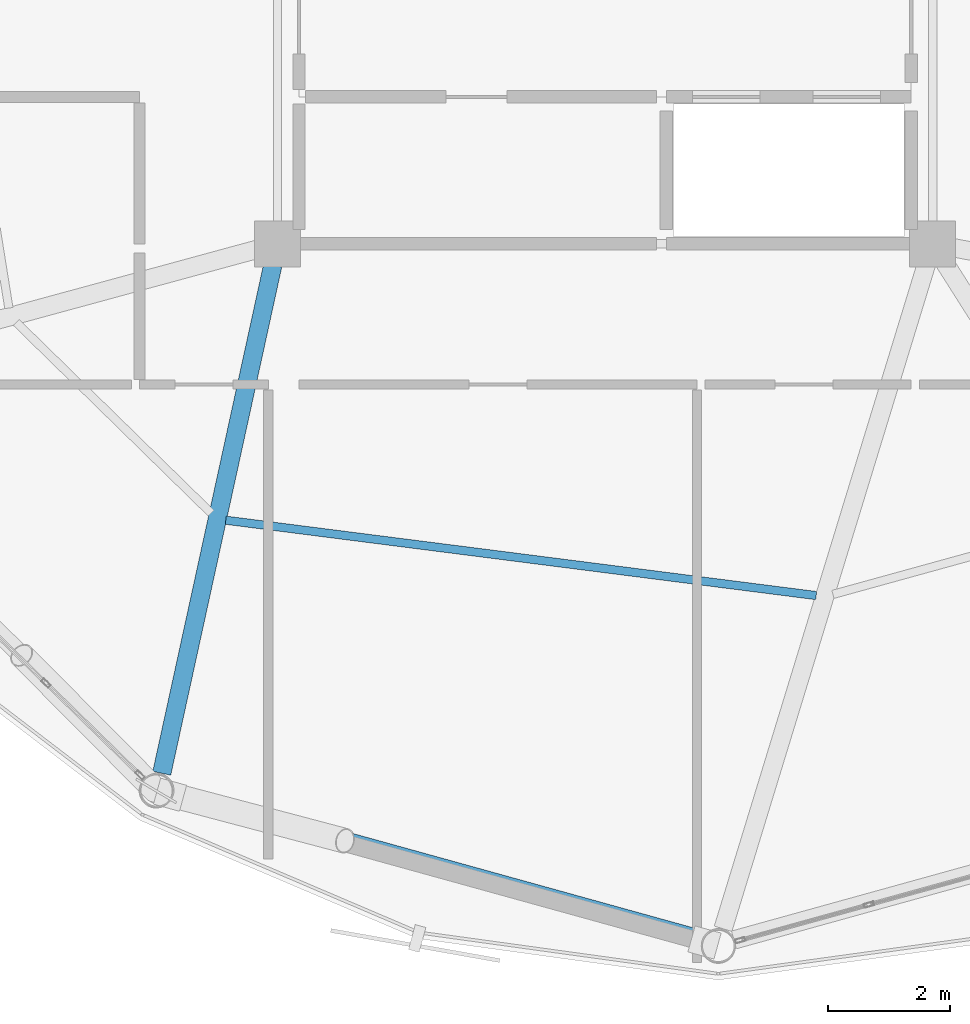
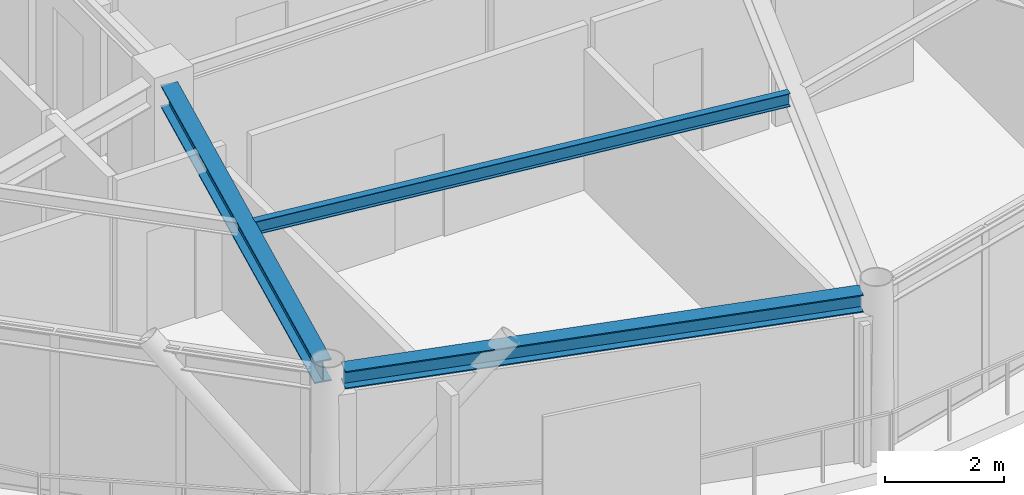
# One storey, part 3 of 27: 3 beams.
"""IFC4 building model written with IfcOpenShell, lengths in metres."""

from ifc_helpers import new_model, si_unit, direction, frame, origin, origin_2d, place, context, subcontext, project, spatial, i_section, extrude, material, material_profile, profile_set, type_object, element, save


model = new_model("IFC4")

# Units and contexts
model_context = context("Model", 3, precision=1e-05, world=origin(), true_north=direction((0.0, 1.0)))
body_context = subcontext(model_context, "Body", "Model", "MODEL_VIEW")
ifc_project = project(units=[si_unit("LENGTHUNIT", "METRE"), si_unit("AREAUNIT", "SQUARE_METRE"), si_unit("VOLUMEUNIT", "CUBIC_METRE"), si_unit("PLANEANGLEUNIT", "RADIAN"), si_unit("MASSUNIT", "GRAM", prefix="KILO")], contexts=[model_context])

# Site, building, storey
site_placement = place(None, origin())
site = spatial("IfcSite", under=ifc_project, at=site_placement, CompositionType="ELEMENT")
building_placement = place(site_placement, origin())
building = spatial("IfcBuilding", under=site, at=building_placement, Name="Varnakorn Sky Granary", CompositionType="ELEMENT")
storey_placement = place(building_placement, frame((0.0, 0.0, 249.0)))
storey = spatial("IfcBuildingStorey", under=building, at=storey_placement, Name="L63", CompositionType="ELEMENT", Elevation=249.0)

# Beams
ifc_material = material(Name="Steel S355JR", Category="steel")
ifc_material_profile_1 = material_profile(ifc_material, i_section(OverallWidth=0.300048828125, OverallDepth=0.449951171875, WebThickness=0.013916015625, FlangeThickness=0.02587890625, at=origin_2d()), Name="HE 450 B")
ifc_profile_set_1 = profile_set([ifc_material_profile_1], Name="Steel S355JR")
beam_type_1 = type_object("IfcBeamType", Name="BM-RAD-Z5", PredefinedType="BEAM", material=ifc_profile_set_1)
beam_1_placement = place(storey_placement, frame((-2.42578125, -6.94677734375, 3.135009765625), z_axis=(-0.213481766692, -0.976947048355, 0.0), x_axis=(0.976947048355, -0.213481766692, 0.0)))
element("IfcBeam", 1, at=beam_1_placement, inside=storey, type_object=beam_type_1, Name="Radial Floor Girder RG09 L63", PredefinedType="BEAM", context=body_context, shape_type="SweptSolid", body=[
    extrude(i_section(OverallWidth=0.300048828125, OverallDepth=0.449951171875, WebThickness=0.013916015625, FlangeThickness=0.02587890625, at=origin_2d()), origin(), (0.0, 0.0, 1.0), 8.495849609375),
])
ifc_material_profile_2 = material_profile(ifc_material, i_section(OverallWidth=0.135009765625, OverallDepth=0.27001953125, WebThickness=0.006591796875, FlangeThickness=0.01025390625, at=origin_2d()), Name="IPE 270")
ifc_profile_set_2 = profile_set([ifc_material_profile_2], Name="Steel S355JR")
beam_type_2 = type_object("IfcBeamType", Name="BM-SEC-Z5", PredefinedType="BEAM", material=ifc_profile_set_2)
beam_2_placement = place(storey_placement, frame((-3.19384765625, -11.114501953125, 3.22509765625), z_axis=(0.991951860446, -0.126615585762, 0.0), x_axis=(0.126615585762, 0.991951860446, 0.0)))
element("IfcBeam", 2, at=beam_2_placement, inside=storey, type_object=beam_type_2, Name="Secondary Floor Chord Beam MSB09 L63", PredefinedType="BEAM", context=body_context, shape_type="SweptSolid", body=[
    extrude(i_section(OverallWidth=0.135009765625, OverallDepth=0.27001953125, WebThickness=0.006591796875, FlangeThickness=0.01025390625, at=origin_2d()), origin(), (0.0, 0.0, 1.0), 9.719970703125),
])
ifc_material_profile_3 = material_profile(ifc_material, i_section(OverallWidth=0.300048828125, OverallDepth=0.360107421875, WebThickness=0.012451171875, FlangeThickness=0.0224609375, at=origin_2d()), Name="HE 360 B")
ifc_profile_set_3 = profile_set([ifc_material_profile_3], Name="Steel S355JR")
beam_type_3 = type_object("IfcBeamType", Name="BM-SPD-Z5", PredefinedType="SPANDREL", material=ifc_profile_set_3)
beam_3_placement = place(storey_placement, frame((-4.041015625, -15.575927734375, 3.179931640625), z_axis=(0.963701126096, -0.266983406902, 0.0), x_axis=(0.266983406902, 0.963701126096, 0.0)))
element("IfcBeam", 3, at=beam_3_placement, inside=storey, type_object=beam_type_3, Name="Perimeter Spandrel Ring Beam RB09 L63", PredefinedType="SPANDREL", context=body_context, shape_type="SweptSolid", body=[
    extrude(i_section(OverallWidth=0.300048828125, OverallDepth=0.360107421875, WebThickness=0.012451171875, FlangeThickness=0.0224609375, at=origin_2d()), origin(), (0.0, 0.0, 1.0), 8.96142578125),
])

save(model, "model.ifc")
